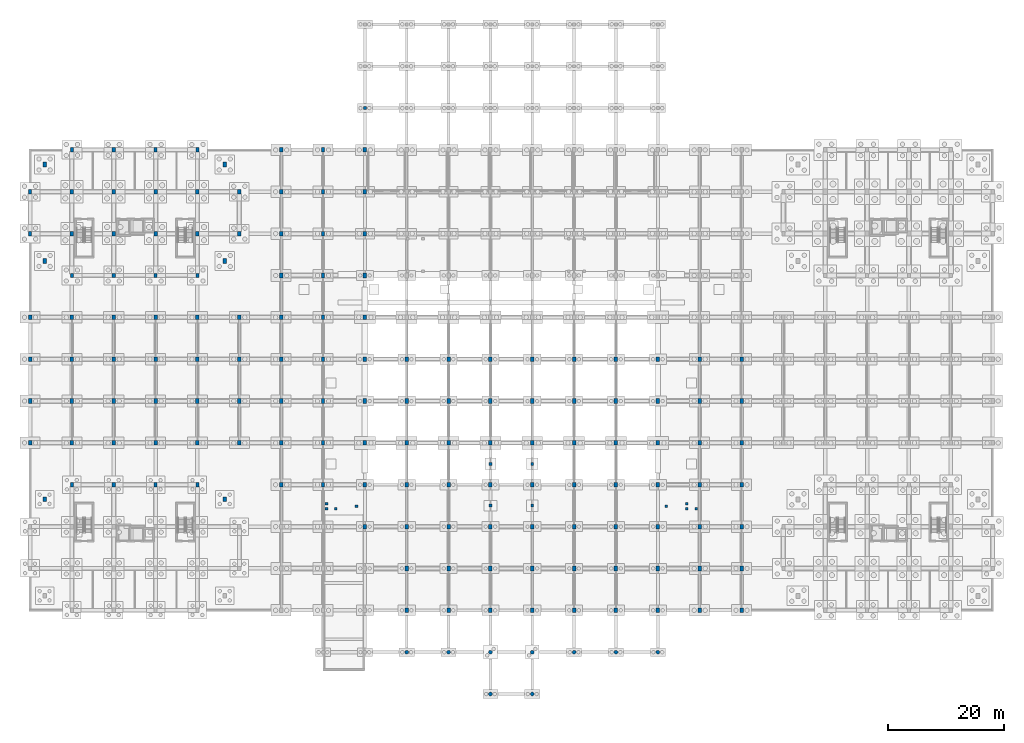
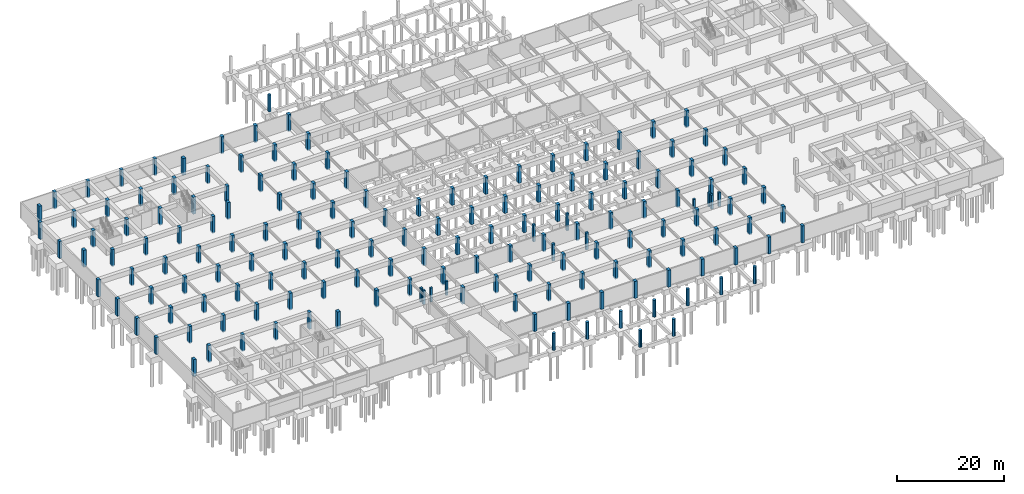
# One storey, part 16 of 36: 167 columns.
"""IFC4 building model written with IfcOpenShell, lengths in metres."""

from ifc_helpers import new_model, si_unit, direction, frame, origin, origin_2d, place, context, subcontext, project, spatial, rectangle, circle, extrude, material, material_profile, profile_set, type_object, element, save


model = new_model("IFC4")

# Units and contexts
model_context = context("Model", 3, precision=1e-05, world=origin(), true_north=direction((0.0, 1.0)))
body_context = subcontext(model_context, "Body", "Model", "MODEL_VIEW")
ifc_project = project(units=[si_unit("LENGTHUNIT", "METRE"), si_unit("AREAUNIT", "SQUARE_METRE"), si_unit("VOLUMEUNIT", "CUBIC_METRE"), si_unit("PLANEANGLEUNIT", "RADIAN"), si_unit("MASSUNIT", "GRAM", prefix="KILO")], contexts=[model_context])

# Site, building, storey
site_placement = place(None, origin())
site = spatial("IfcSite", under=ifc_project, at=site_placement, CompositionType="ELEMENT")
building_placement = place(site_placement, origin())
building = spatial("IfcBuilding", under=site, at=building_placement, Name="Ochrevale Crest", CompositionType="ELEMENT")
storey_placement = place(building_placement, frame((0.0, 0.0, -3.60009765625)))
storey = spatial("IfcBuildingStorey", under=building, at=storey_placement, Name="B1", CompositionType="ELEMENT", Elevation=-3.60009765625)

# Columns
ifc_material_1 = material(Name="Precast concrete C40/50", Category="concrete")
ifc_material_profile_1 = material_profile(ifc_material_1, rectangle(XDim=0.449951171875, YDim=0.449951171875, at=origin_2d()), Name="RC 450x450")
ifc_profile_set_1 = profile_set([ifc_material_profile_1], Name="Precast concrete C40/50")
column_type_1 = type_object("IfcColumnType", Name="COL-RC450x450", PredefinedType="COLUMN", material=ifc_profile_set_1)
for number, where, z_axis, x_axis, name in (
    (1, (51.0, 31.85009765625, 0.0), (0.0, 0.0, 1.0), (1.0, 0.0, 0.0), "West hillside Step 1 to Step 2 accessible ramp starter B1 support column 1"),
    (2, (52.60009765625, 31.85009765625, 0.0), (0.0, 0.0, 1.0), (1.0, 0.0, 0.0), "West hillside Step 1 to Step 2 accessible ramp starter B1 support column 2"),
    (3, (51.0, 32.75, 0.0), (0.0, 0.0, 1.0), (1.0, 0.0, 0.0), "West hillside Step 1 to Step 2 accessible ramp starter B1 support column 3"),
    (4, (56.16259765625, 32.300048828125, 0.0), (0.0, 0.0, 1.0), (1.0, 0.0, 0.0), "West hillside Step 1 to Step 2 accessible ramp starter B1 support column 4"),
    (5, (113.0, 31.85009765625, 0.0), (0.0, 0.0, 1.0), (1.0, 0.0, 0.0), "East hillside Step 1 to Step 2 accessible ramp starter B1 support column 1"),
    (6, (114.60009765625, 31.85009765625, 0.0), (0.0, 0.0, 1.0), (1.0, 0.0, 0.0), "East hillside Step 1 to Step 2 accessible ramp starter B1 support column 2"),
    (7, (113.0, 32.75, 0.0), (0.0, 0.0, 1.0), (1.0, 0.0, 0.0), "East hillside Step 1 to Step 2 accessible ramp starter B1 support column 3"),
    (8, (109.4375, 32.300048828125, 0.0), (0.0, 0.0, 1.0), (1.0, 0.0, 0.0), "East hillside Step 1 to Step 2 accessible ramp starter B1 support column 4"),
):
    element("IfcColumn", number, at=place(storey_placement, frame(where, z_axis=z_axis, x_axis=x_axis)), inside=storey, type_object=column_type_1, Name=name, PredefinedType="COLUMN", context=body_context, shape_type="SweptSolid", body=[
        extrude(rectangle(XDim=0.449951171875, YDim=0.449951171875, at=origin_2d()), origin(), (0.0, 0.0, 1.0), 3.18505859375),
    ])
ifc_material_2 = material(Name="Precast concrete C50/60", Category="concrete")
ifc_material_profile_2 = material_profile(ifc_material_2, rectangle(XDim=0.5, YDim=0.5, at=origin_2d()), Name="RC 500x500")
ifc_profile_set_2 = profile_set([ifc_material_profile_2], Name="Precast concrete C50/60")
column_type_2 = type_object("IfcColumnType", Name="COL-RC500x500", PredefinedType="COLUMN", material=ifc_profile_set_2)
for number, where, z_axis, x_axis, name in (
    (9, (79.199951171875, 32.39990234375, -0.260009765625), (0.0, 0.0, 1.0), (1.0, 0.0, 0.0), "Foundation support pier FTG-PF-PAS1"),
    (10, (86.39990234375, 32.39990234375, -0.260009765625), (0.0, 0.0, 1.0), (1.0, 0.0, 0.0), "Foundation support pier FTG-PF-PAS2"),
    (11, (79.199951171875, 39.60009765625, -0.260009765625), (0.0, 0.0, 1.0), (1.0, 0.0, 0.0), "Foundation support pier FTG-PF-PAS3"),
    (12, (86.39990234375, 39.60009765625, -0.260009765625), (0.0, 0.0, 1.0), (1.0, 0.0, 0.0), "Foundation support pier FTG-PF-PAS4"),
    (13, (57.60009765625, 100.800048828125, -0.260009765625), (0.0, 0.0, 1.0), (1.0, 0.0, 0.0), "Play court foundation column (57.6,100.8)"),
):
    element("IfcColumn", number, at=place(storey_placement, frame(where, z_axis=z_axis, x_axis=x_axis)), inside=storey, type_object=column_type_2, Name=name, PredefinedType="COLUMN", context=body_context, shape_type="SweptSolid", body=[
        extrude(rectangle(XDim=0.5, YDim=0.5, at=origin_2d()), origin(), (0.0, 0.0, 1.0), 3.860107421875),
    ])
ifc_material_profile_3 = material_profile(ifc_material_2, rectangle(XDim=0.550048828125, YDim=0.75, at=origin_2d()), Name="RC 550x750")
ifc_profile_set_3 = profile_set([ifc_material_profile_3], Name="Precast concrete C50/60")
column_type_3 = type_object("IfcColumnType", Name="COL-RC550x750", PredefinedType="COLUMN", material=ifc_profile_set_3)
for number, where, z_axis, x_axis, name in (
    (14, (7.199951171875, 36.0, -0.260009765625), (0.0, 0.0, 1.0), (1.0, 0.0, 0.0), "Block A B1 column (7.2,36.0)"),
    (15, (14.39990234375, 36.0, -0.260009765625), (0.0, 0.0, 1.0), (1.0, 0.0, 0.0), "Block A B1 column (14.4,36.0)"),
    (16, (21.60009765625, 36.0, -0.260009765625), (0.0, 0.0, 1.0), (1.0, 0.0, 0.0), "Block A B1 column (21.6,36.0)"),
    (17, (28.800048828125, 36.0, -0.260009765625), (0.0, 0.0, 1.0), (1.0, 0.0, 0.0), "Block A B1 column (28.8,36.0)"),
    (18, (0.0, 79.199951171875, -0.260009765625), (0.0, 0.0, 1.0), (1.0, 0.0, 0.0), "Block B B1 column (0.0,79.2)"),
    (19, (0.0, 86.39990234375, -0.260009765625), (0.0, 0.0, 1.0), (1.0, 0.0, 0.0), "Block B B1 column (0.0,86.4)"),
    (20, (7.199951171875, 72.0, -0.260009765625), (0.0, 0.0, 1.0), (1.0, 0.0, 0.0), "Block B B1 column (7.2,72.0)"),
    (21, (7.199951171875, 93.60009765625, -0.260009765625), (0.0, 0.0, 1.0), (1.0, 0.0, 0.0), "Block B B1 column (7.2,93.6)"),
    (22, (14.39990234375, 72.0, -0.260009765625), (0.0, 0.0, 1.0), (1.0, 0.0, 0.0), "Block B B1 column (14.4,72.0)"),
    (23, (14.39990234375, 93.60009765625, -0.260009765625), (0.0, 0.0, 1.0), (1.0, 0.0, 0.0), "Block B B1 column (14.4,93.6)"),
    (24, (21.60009765625, 72.0, -0.260009765625), (0.0, 0.0, 1.0), (1.0, 0.0, 0.0), "Block B B1 column (21.6,72.0)"),
    (25, (21.60009765625, 93.60009765625, -0.260009765625), (0.0, 0.0, 1.0), (1.0, 0.0, 0.0), "Block B B1 column (21.6,93.6)"),
    (26, (28.800048828125, 72.0, -0.260009765625), (0.0, 0.0, 1.0), (1.0, 0.0, 0.0), "Block B B1 column (28.8,72.0)"),
    (27, (28.800048828125, 93.60009765625, -0.260009765625), (0.0, 0.0, 1.0), (1.0, 0.0, 0.0), "Block B B1 column (28.8,93.6)"),
    (28, (36.0, 79.199951171875, -0.260009765625), (0.0, 0.0, 1.0), (1.0, 0.0, 0.0), "Block B B1 column (36.0,79.2)"),
    (29, (36.0, 86.39990234375, -0.260009765625), (0.0, 0.0, 1.0), (1.0, 0.0, 0.0), "Block B B1 column (36.0,86.4)"),
):
    element("IfcColumn", number, at=place(storey_placement, frame(where, z_axis=z_axis, x_axis=x_axis)), inside=storey, type_object=column_type_3, Name=name, PredefinedType="COLUMN", context=body_context, shape_type="SweptSolid", body=[
        extrude(rectangle(XDim=0.550048828125, YDim=0.75, at=origin_2d()), origin(), (0.0, 0.0, 1.0), 3.860107421875),
    ])
ifc_material_3 = material(Name="Concrete C50/60", Category="concrete")
ifc_material_profile_4 = material_profile(ifc_material_3, rectangle(XDim=0.60009765625, YDim=0.800048828125, at=origin_2d()), Name="RC 600x800")
ifc_profile_set_4 = profile_set([ifc_material_profile_4], Name="Concrete C50/60")
column_type_4 = type_object("IfcColumnType", Name="COL-RC600x800", PredefinedType="COLUMN", material=ifc_profile_set_4)
for number, where, z_axis, x_axis, name in (
    (30, (0.0, 43.199951171875, -0.260009765625), (0.0, 0.0, 1.0), (1.0, 0.0, 0.0), "B1 structural foundation column (0.0,43.2)"),
    (31, (0.0, 50.39990234375, -0.260009765625), (0.0, 0.0, 1.0), (1.0, 0.0, 0.0), "B1 structural foundation column (0.0,50.4)"),
    (32, (0.0, 57.60009765625, -0.260009765625), (0.0, 0.0, 1.0), (1.0, 0.0, 0.0), "B1 structural foundation column (0.0,57.6)"),
    (33, (0.0, 64.800048828125, -0.260009765625), (0.0, 0.0, 1.0), (1.0, 0.0, 0.0), "B1 structural foundation column (0.0,64.8)"),
    (34, (7.199951171875, 43.199951171875, -0.260009765625), (0.0, 0.0, 1.0), (1.0, 0.0, 0.0), "B1 structural foundation column (7.2,43.2)"),
    (35, (7.199951171875, 50.39990234375, -0.260009765625), (0.0, 0.0, 1.0), (1.0, 0.0, 0.0), "B1 structural foundation column (7.2,50.4)"),
    (36, (7.199951171875, 57.60009765625, -0.260009765625), (0.0, 0.0, 1.0), (1.0, 0.0, 0.0), "B1 structural foundation column (7.2,57.6)"),
    (37, (7.199951171875, 64.800048828125, -0.260009765625), (0.0, 0.0, 1.0), (1.0, 0.0, 0.0), "B1 structural foundation column (7.2,64.8)"),
    (38, (14.39990234375, 43.199951171875, -0.260009765625), (0.0, 0.0, 1.0), (1.0, 0.0, 0.0), "B1 structural foundation column (14.4,43.2)"),
    (39, (14.39990234375, 50.39990234375, -0.260009765625), (0.0, 0.0, 1.0), (1.0, 0.0, 0.0), "B1 structural foundation column (14.4,50.4)"),
    (40, (14.39990234375, 57.60009765625, -0.260009765625), (0.0, 0.0, 1.0), (1.0, 0.0, 0.0), "B1 structural foundation column (14.4,57.6)"),
    (41, (14.39990234375, 64.800048828125, -0.260009765625), (0.0, 0.0, 1.0), (1.0, 0.0, 0.0), "B1 structural foundation column (14.4,64.8)"),
    (42, (21.60009765625, 43.199951171875, -0.260009765625), (0.0, 0.0, 1.0), (1.0, 0.0, 0.0), "B1 structural foundation column (21.6,43.2)"),
    (43, (21.60009765625, 50.39990234375, -0.260009765625), (0.0, 0.0, 1.0), (1.0, 0.0, 0.0), "B1 structural foundation column (21.6,50.4)"),
    (44, (21.60009765625, 57.60009765625, -0.260009765625), (0.0, 0.0, 1.0), (1.0, 0.0, 0.0), "B1 structural foundation column (21.6,57.6)"),
    (45, (21.60009765625, 64.800048828125, -0.260009765625), (0.0, 0.0, 1.0), (1.0, 0.0, 0.0), "B1 structural foundation column (21.6,64.8)"),
    (46, (28.800048828125, 43.199951171875, -0.260009765625), (0.0, 0.0, 1.0), (1.0, 0.0, 0.0), "B1 structural foundation column (28.8,43.2)"),
    (47, (28.800048828125, 50.39990234375, -0.260009765625), (0.0, 0.0, 1.0), (1.0, 0.0, 0.0), "B1 structural foundation column (28.8,50.4)"),
    (48, (28.800048828125, 57.60009765625, -0.260009765625), (0.0, 0.0, 1.0), (1.0, 0.0, 0.0), "B1 structural foundation column (28.8,57.6)"),
    (49, (28.800048828125, 64.800048828125, -0.260009765625), (0.0, 0.0, 1.0), (1.0, 0.0, 0.0), "B1 structural foundation column (28.8,64.8)"),
    (50, (36.0, 43.199951171875, -0.260009765625), (0.0, 0.0, 1.0), (1.0, 0.0, 0.0), "B1 structural foundation column (36.0,43.2)"),
    (51, (36.0, 50.39990234375, -0.260009765625), (0.0, 0.0, 1.0), (1.0, 0.0, 0.0), "B1 structural foundation column (36.0,50.4)"),
    (52, (36.0, 57.60009765625, -0.260009765625), (0.0, 0.0, 1.0), (1.0, 0.0, 0.0), "B1 structural foundation column (36.0,57.6)"),
    (53, (36.0, 64.800048828125, -0.260009765625), (0.0, 0.0, 1.0), (1.0, 0.0, 0.0), "B1 structural foundation column (36.0,64.8)"),
    (54, (43.199951171875, 36.0, -0.260009765625), (0.0, 0.0, 1.0), (1.0, 0.0, 0.0), "B1 structural foundation column (43.2,36.0)"),
    (55, (43.199951171875, 43.199951171875, -0.260009765625), (0.0, 0.0, 1.0), (1.0, 0.0, 0.0), "B1 structural foundation column (43.2,43.2)"),
    (56, (43.199951171875, 50.39990234375, -0.260009765625), (0.0, 0.0, 1.0), (1.0, 0.0, 0.0), "B1 structural foundation column (43.2,50.4)"),
    (57, (43.199951171875, 57.60009765625, -0.260009765625), (0.0, 0.0, 1.0), (1.0, 0.0, 0.0), "B1 structural foundation column (43.2,57.6)"),
    (58, (43.199951171875, 64.800048828125, -0.260009765625), (0.0, 0.0, 1.0), (1.0, 0.0, 0.0), "B1 structural foundation column (43.2,64.8)"),
    (59, (43.199951171875, 72.0, -0.260009765625), (0.0, 0.0, 1.0), (1.0, 0.0, 0.0), "B1 structural foundation column (43.2,72.0)"),
    (60, (43.199951171875, 79.199951171875, -0.260009765625), (0.0, 0.0, 1.0), (1.0, 0.0, 0.0), "B1 structural foundation column (43.2,79.2)"),
    (61, (43.199951171875, 86.39990234375, -0.260009765625), (0.0, 0.0, 1.0), (1.0, 0.0, 0.0), "B1 structural foundation column (43.2,86.4)"),
    (62, (43.199951171875, 93.60009765625, -0.260009765625), (0.0, 0.0, 1.0), (1.0, 0.0, 0.0), "B1 structural foundation column (43.2,93.6)"),
    (63, (50.39990234375, 36.0, -0.260009765625), (0.0, 0.0, 1.0), (1.0, 0.0, 0.0), "B1 structural foundation column (50.4,36.0)"),
    (64, (50.39990234375, 43.199951171875, -0.260009765625), (0.0, 0.0, 1.0), (1.0, 0.0, 0.0), "B1 structural foundation column (50.4,43.2)"),
    (65, (50.39990234375, 50.39990234375, -0.260009765625), (0.0, 0.0, 1.0), (1.0, 0.0, 0.0), "B1 structural foundation column (50.4,50.4)"),
    (66, (50.39990234375, 57.60009765625, -0.260009765625), (0.0, 0.0, 1.0), (1.0, 0.0, 0.0), "B1 structural foundation column (50.4,57.6)"),
    (67, (50.39990234375, 64.800048828125, -0.260009765625), (0.0, 0.0, 1.0), (1.0, 0.0, 0.0), "B1 structural foundation column (50.4,64.8)"),
    (68, (50.39990234375, 72.0, -0.260009765625), (0.0, 0.0, 1.0), (1.0, 0.0, 0.0), "B1 structural foundation column (50.4,72.0)"),
    (69, (50.39990234375, 79.199951171875, -0.260009765625), (0.0, 0.0, 1.0), (1.0, 0.0, 0.0), "B1 structural foundation column (50.4,79.2)"),
    (70, (50.39990234375, 86.39990234375, -0.260009765625), (0.0, 0.0, 1.0), (1.0, 0.0, 0.0), "B1 structural foundation column (50.4,86.4)"),
    (71, (50.39990234375, 93.60009765625, -0.260009765625), (0.0, 0.0, 1.0), (1.0, 0.0, 0.0), "B1 structural foundation column (50.4,93.6)"),
    (72, (57.60009765625, 28.800048828125, -0.260009765625), (0.0, 0.0, 1.0), (1.0, 0.0, 0.0), "B1 structural foundation column (57.6,28.8)"),
    (73, (57.60009765625, 36.0, -0.260009765625), (0.0, 0.0, 1.0), (1.0, 0.0, 0.0), "B1 structural foundation column (57.6,36.0)"),
    (74, (57.60009765625, 43.199951171875, -0.260009765625), (0.0, 0.0, 1.0), (1.0, 0.0, 0.0), "B1 structural foundation column (57.6,43.2)"),
    (75, (57.60009765625, 50.39990234375, -0.260009765625), (0.0, 0.0, 1.0), (1.0, 0.0, 0.0), "B1 structural foundation column (57.6,50.4)"),
    (76, (57.60009765625, 57.60009765625, -0.260009765625), (0.0, 0.0, 1.0), (1.0, 0.0, 0.0), "B1 structural foundation column (57.6,57.6)"),
    (77, (57.60009765625, 64.800048828125, -0.260009765625), (0.0, 0.0, 1.0), (1.0, 0.0, 0.0), "B1 structural foundation column (57.6,64.8)"),
    (78, (57.60009765625, 72.0, -0.260009765625), (0.0, 0.0, 1.0), (1.0, 0.0, 0.0), "B1 structural foundation column (57.6,72.0)"),
    (79, (57.60009765625, 79.199951171875, -0.260009765625), (0.0, 0.0, 1.0), (1.0, 0.0, 0.0), "B1 structural foundation column (57.6,79.2)"),
    (80, (57.60009765625, 86.39990234375, -0.260009765625), (0.0, 0.0, 1.0), (1.0, 0.0, 0.0), "B1 structural foundation column (57.6,86.4)"),
    (81, (57.60009765625, 93.60009765625, -0.260009765625), (0.0, 0.0, 1.0), (1.0, 0.0, 0.0), "B1 structural foundation column (57.6,93.6)"),
    (82, (64.800048828125, 14.39990234375, -0.260009765625), (0.0, 0.0, 1.0), (1.0, 0.0, 0.0), "B1 structural foundation column (64.8,14.4)"),
    (83, (64.800048828125, 21.60009765625, -0.260009765625), (0.0, 0.0, 1.0), (1.0, 0.0, 0.0), "B1 structural foundation column (64.8,21.6)"),
    (84, (64.800048828125, 28.800048828125, -0.260009765625), (0.0, 0.0, 1.0), (1.0, 0.0, 0.0), "B1 structural foundation column (64.8,28.8)"),
    (85, (64.800048828125, 36.0, -0.260009765625), (0.0, 0.0, 1.0), (1.0, 0.0, 0.0), "B1 structural foundation column (64.8,36.0)"),
    (86, (64.800048828125, 43.199951171875, -0.260009765625), (0.0, 0.0, 1.0), (1.0, 0.0, 0.0), "B1 structural foundation column (64.8,43.2)"),
    (87, (64.800048828125, 50.39990234375, -0.260009765625), (0.0, 0.0, 1.0), (1.0, 0.0, 0.0), "B1 structural foundation column (64.8,50.4)"),
    (88, (64.800048828125, 57.60009765625, -0.260009765625), (0.0, 0.0, 1.0), (1.0, 0.0, 0.0), "B1 structural foundation column (64.8,57.6)"),
    (89, (72.0, 14.39990234375, -0.260009765625), (0.0, 0.0, 1.0), (1.0, 0.0, 0.0), "B1 structural foundation column (72.0,14.4)"),
    (90, (72.0, 21.60009765625, -0.260009765625), (0.0, 0.0, 1.0), (1.0, 0.0, 0.0), "B1 structural foundation column (72.0,21.6)"),
    (91, (72.0, 28.800048828125, -0.260009765625), (0.0, 0.0, 1.0), (1.0, 0.0, 0.0), "B1 structural foundation column (72.0,28.8)"),
    (92, (72.0, 36.0, -0.260009765625), (0.0, 0.0, 1.0), (1.0, 0.0, 0.0), "B1 structural foundation column (72.0,36.0)"),
    (93, (72.0, 43.199951171875, -0.260009765625), (0.0, 0.0, 1.0), (1.0, 0.0, 0.0), "B1 structural foundation column (72.0,43.2)"),
    (94, (72.0, 50.39990234375, -0.260009765625), (0.0, 0.0, 1.0), (1.0, 0.0, 0.0), "B1 structural foundation column (72.0,50.4)"),
    (95, (72.0, 57.60009765625, -0.260009765625), (0.0, 0.0, 1.0), (1.0, 0.0, 0.0), "B1 structural foundation column (72.0,57.6)"),
    (96, (79.199951171875, 14.39990234375, -0.260009765625), (0.0, 0.0, 1.0), (1.0, 0.0, 0.0), "B1 structural foundation column (79.2,14.4)"),
    (97, (79.199951171875, 21.60009765625, -0.260009765625), (0.0, 0.0, 1.0), (1.0, 0.0, 0.0), "B1 structural foundation column (79.2,21.6)"),
    (98, (79.199951171875, 28.800048828125, -0.260009765625), (0.0, 0.0, 1.0), (1.0, 0.0, 0.0), "B1 structural foundation column (79.2,28.8)"),
    (99, (79.199951171875, 36.0, -0.260009765625), (0.0, 0.0, 1.0), (1.0, 0.0, 0.0), "B1 structural foundation column (79.2,36.0)"),
    (100, (79.199951171875, 43.199951171875, -0.260009765625), (0.0, 0.0, 1.0), (1.0, 0.0, 0.0), "B1 structural foundation column (79.2,43.2)"),
    (101, (79.199951171875, 50.39990234375, -0.260009765625), (0.0, 0.0, 1.0), (1.0, 0.0, 0.0), "B1 structural foundation column (79.2,50.4)"),
    (102, (79.199951171875, 57.60009765625, -0.260009765625), (0.0, 0.0, 1.0), (1.0, 0.0, 0.0), "B1 structural foundation column (79.2,57.6)"),
    (103, (86.39990234375, 14.39990234375, -0.260009765625), (0.0, 0.0, 1.0), (1.0, 0.0, 0.0), "B1 structural foundation column (86.4,14.4)"),
    (104, (86.39990234375, 21.60009765625, -0.260009765625), (0.0, 0.0, 1.0), (1.0, 0.0, 0.0), "B1 structural foundation column (86.4,21.6)"),
    (105, (86.39990234375, 28.800048828125, -0.260009765625), (0.0, 0.0, 1.0), (1.0, 0.0, 0.0), "B1 structural foundation column (86.4,28.8)"),
    (106, (86.39990234375, 36.0, -0.260009765625), (0.0, 0.0, 1.0), (1.0, 0.0, 0.0), "B1 structural foundation column (86.4,36.0)"),
    (107, (86.39990234375, 43.199951171875, -0.260009765625), (0.0, 0.0, 1.0), (1.0, 0.0, 0.0), "B1 structural foundation column (86.4,43.2)"),
    (108, (86.39990234375, 50.39990234375, -0.260009765625), (0.0, 0.0, 1.0), (1.0, 0.0, 0.0), "B1 structural foundation column (86.4,50.4)"),
    (109, (86.39990234375, 57.60009765625, -0.260009765625), (0.0, 0.0, 1.0), (1.0, 0.0, 0.0), "B1 structural foundation column (86.4,57.6)"),
    (110, (93.60009765625, 14.39990234375, -0.260009765625), (0.0, 0.0, 1.0), (1.0, 0.0, 0.0), "B1 structural foundation column (93.6,14.4)"),
    (111, (93.60009765625, 21.60009765625, -0.260009765625), (0.0, 0.0, 1.0), (1.0, 0.0, 0.0), "B1 structural foundation column (93.6,21.6)"),
    (112, (93.60009765625, 28.800048828125, -0.260009765625), (0.0, 0.0, 1.0), (1.0, 0.0, 0.0), "B1 structural foundation column (93.6,28.8)"),
    (113, (93.60009765625, 36.0, -0.260009765625), (0.0, 0.0, 1.0), (1.0, 0.0, 0.0), "B1 structural foundation column (93.6,36.0)"),
    (114, (93.60009765625, 43.199951171875, -0.260009765625), (0.0, 0.0, 1.0), (1.0, 0.0, 0.0), "B1 structural foundation column (93.6,43.2)"),
    (115, (93.60009765625, 50.39990234375, -0.260009765625), (0.0, 0.0, 1.0), (1.0, 0.0, 0.0), "B1 structural foundation column (93.6,50.4)"),
    (116, (93.60009765625, 57.60009765625, -0.260009765625), (0.0, 0.0, 1.0), (1.0, 0.0, 0.0), "B1 structural foundation column (93.6,57.6)"),
    (117, (100.800048828125, 14.39990234375, -0.260009765625), (0.0, 0.0, 1.0), (1.0, 0.0, 0.0), "B1 structural foundation column (100.8,14.4)"),
    (118, (100.800048828125, 21.60009765625, -0.260009765625), (0.0, 0.0, 1.0), (1.0, 0.0, 0.0), "B1 structural foundation column (100.8,21.6)"),
    (119, (100.800048828125, 28.800048828125, -0.260009765625), (0.0, 0.0, 1.0), (1.0, 0.0, 0.0), "B1 structural foundation column (100.8,28.8)"),
    (120, (100.800048828125, 36.0, -0.260009765625), (0.0, 0.0, 1.0), (1.0, 0.0, 0.0), "B1 structural foundation column (100.8,36.0)"),
    (121, (100.800048828125, 43.199951171875, -0.260009765625), (0.0, 0.0, 1.0), (1.0, 0.0, 0.0), "B1 structural foundation column (100.8,43.2)"),
    (122, (100.800048828125, 50.39990234375, -0.260009765625), (0.0, 0.0, 1.0), (1.0, 0.0, 0.0), "B1 structural foundation column (100.8,50.4)"),
    (123, (100.800048828125, 57.60009765625, -0.260009765625), (0.0, 0.0, 1.0), (1.0, 0.0, 0.0), "B1 structural foundation column (100.8,57.6)"),
    (124, (108.0, 14.39990234375, -0.260009765625), (0.0, 0.0, 1.0), (1.0, 0.0, 0.0), "B1 structural foundation column (108.0,14.4)"),
    (125, (108.0, 21.60009765625, -0.260009765625), (0.0, 0.0, 1.0), (1.0, 0.0, 0.0), "B1 structural foundation column (108.0,21.6)"),
    (126, (108.0, 28.800048828125, -0.260009765625), (0.0, 0.0, 1.0), (1.0, 0.0, 0.0), "B1 structural foundation column (108.0,28.8)"),
    (127, (108.0, 36.0, -0.260009765625), (0.0, 0.0, 1.0), (1.0, 0.0, 0.0), "B1 structural foundation column (108.0,36.0)"),
    (128, (108.0, 43.199951171875, -0.260009765625), (0.0, 0.0, 1.0), (1.0, 0.0, 0.0), "B1 structural foundation column (108.0,43.2)"),
    (129, (108.0, 50.39990234375, -0.260009765625), (0.0, 0.0, 1.0), (1.0, 0.0, 0.0), "B1 structural foundation column (108.0,50.4)"),
    (130, (108.0, 57.60009765625, -0.260009765625), (0.0, 0.0, 1.0), (1.0, 0.0, 0.0), "B1 structural foundation column (108.0,57.6)"),
    (131, (115.199951171875, 14.39990234375, -0.260009765625), (0.0, 0.0, 1.0), (1.0, 0.0, 0.0), "B1 structural foundation column (115.2,14.4)"),
    (132, (115.199951171875, 21.60009765625, -0.260009765625), (0.0, 0.0, 1.0), (1.0, 0.0, 0.0), "B1 structural foundation column (115.2,21.6)"),
    (133, (115.199951171875, 28.800048828125, -0.260009765625), (0.0, 0.0, 1.0), (1.0, 0.0, 0.0), "B1 structural foundation column (115.2,28.8)"),
    (134, (115.199951171875, 36.0, -0.260009765625), (0.0, 0.0, 1.0), (1.0, 0.0, 0.0), "B1 structural foundation column (115.2,36.0)"),
    (135, (115.199951171875, 43.199951171875, -0.260009765625), (0.0, 0.0, 1.0), (1.0, 0.0, 0.0), "B1 structural foundation column (115.2,43.2)"),
    (136, (115.199951171875, 50.39990234375, -0.260009765625), (0.0, 0.0, 1.0), (1.0, 0.0, 0.0), "B1 structural foundation column (115.2,50.4)"),
    (137, (115.199951171875, 57.60009765625, -0.260009765625), (0.0, 0.0, 1.0), (1.0, 0.0, 0.0), "B1 structural foundation column (115.2,57.6)"),
    (138, (122.39990234375, 14.39990234375, -0.260009765625), (0.0, 0.0, 1.0), (1.0, 0.0, 0.0), "B1 structural foundation column (122.4,14.4)"),
    (139, (122.39990234375, 21.60009765625, -0.260009765625), (0.0, 0.0, 1.0), (1.0, 0.0, 0.0), "B1 structural foundation column (122.4,21.6)"),
    (140, (122.39990234375, 28.800048828125, -0.260009765625), (0.0, 0.0, 1.0), (1.0, 0.0, 0.0), "B1 structural foundation column (122.4,28.8)"),
    (141, (122.39990234375, 36.0, -0.260009765625), (0.0, 0.0, 1.0), (1.0, 0.0, 0.0), "B1 structural foundation column (122.4,36.0)"),
    (142, (122.39990234375, 43.199951171875, -0.260009765625), (0.0, 0.0, 1.0), (1.0, 0.0, 0.0), "B1 structural foundation column (122.4,43.2)"),
    (143, (122.39990234375, 50.39990234375, -0.260009765625), (0.0, 0.0, 1.0), (1.0, 0.0, 0.0), "B1 structural foundation column (122.4,50.4)"),
    (144, (122.39990234375, 57.60009765625, -0.260009765625), (0.0, 0.0, 1.0), (1.0, 0.0, 0.0), "B1 structural foundation column (122.4,57.6)"),
    (145, (2.5, 33.5, -0.260009765625), (0.0, 0.0, 1.0), (1.0, 0.0, 0.0), "Block A B1 column (2.5,33.5)"),
    (146, (33.5, 33.5, -0.260009765625), (0.0, 0.0, 1.0), (1.0, 0.0, 0.0), "Block A B1 column (33.5,33.5)"),
    (147, (2.5, 74.5, -0.260009765625), (0.0, 0.0, 1.0), (1.0, 0.0, 0.0), "Block B B1 column (2.5,74.5)"),
    (148, (2.5, 91.10009765625, -0.260009765625), (0.0, 0.0, 1.0), (1.0, 0.0, 0.0), "Block B B1 column (2.5,91.1)"),
    (149, (7.199951171875, 79.199951171875, -0.260009765625), (0.0, 0.0, 1.0), (1.0, 0.0, 0.0), "Block B B1 column (7.2,79.2)"),
    (150, (7.199951171875, 86.39990234375, -0.260009765625), (0.0, 0.0, 1.0), (1.0, 0.0, 0.0), "Block B B1 column (7.2,86.4)"),
    (151, (14.39990234375, 79.199951171875, -0.260009765625), (0.0, 0.0, 1.0), (1.0, 0.0, 0.0), "Block B B1 column (14.4,79.2)"),
    (152, (14.39990234375, 86.39990234375, -0.260009765625), (0.0, 0.0, 1.0), (1.0, 0.0, 0.0), "Block B B1 column (14.4,86.4)"),
    (153, (21.60009765625, 79.199951171875, -0.260009765625), (0.0, 0.0, 1.0), (1.0, 0.0, 0.0), "Block B B1 column (21.6,79.2)"),
    (154, (21.60009765625, 86.39990234375, -0.260009765625), (0.0, 0.0, 1.0), (1.0, 0.0, 0.0), "Block B B1 column (21.6,86.4)"),
    (155, (28.800048828125, 79.199951171875, -0.260009765625), (0.0, 0.0, 1.0), (1.0, 0.0, 0.0), "Block B B1 column (28.8,79.2)"),
    (156, (28.800048828125, 86.39990234375, -0.260009765625), (0.0, 0.0, 1.0), (1.0, 0.0, 0.0), "Block B B1 column (28.8,86.4)"),
    (157, (33.5, 74.5, -0.260009765625), (0.0, 0.0, 1.0), (1.0, 0.0, 0.0), "Block B B1 column (33.5,74.5)"),
    (158, (33.5, 91.10009765625, -0.260009765625), (0.0, 0.0, 1.0), (1.0, 0.0, 0.0), "Block B B1 column (33.5,91.1)"),
):
    element("IfcColumn", number, at=place(storey_placement, frame(where, z_axis=z_axis, x_axis=x_axis)), inside=storey, type_object=column_type_4, Name=name, PredefinedType="COLUMN", context=body_context, shape_type="SweptSolid", body=[
        extrude(rectangle(XDim=0.60009765625, YDim=0.800048828125, at=origin_2d()), origin(), (0.0, 0.0, 1.0), 3.860107421875),
    ])
ifc_material_profile_5 = material_profile(ifc_material_2, circle(Radius=0.324951171875, at=origin_2d()), Name="RC D650")
ifc_profile_set_5 = profile_set([ifc_material_profile_5], Name="Precast concrete C50/60")
column_type_5 = type_object("IfcColumnType", Name="COL-RCD650", PredefinedType="COLUMN", material=ifc_profile_set_5)
for number, where, z_axis, x_axis, name in (
    (159, (64.800048828125, 7.199951171875, -0.260009765625), (0.0, 0.0, 1.0), (1.0, 0.0, 0.0), "B1 arcade foundation pier (64.8,7.2)"),
    (160, (72.0, 7.199951171875, -0.260009765625), (0.0, 0.0, 1.0), (1.0, 0.0, 0.0), "B1 arcade foundation pier (72.0,7.2)"),
    (161, (79.199951171875, 0.0, -0.260009765625), (0.0, 0.0, 1.0), (1.0, 0.0, 0.0), "B1 arcade foundation pier (79.2,0.0)"),
    (162, (79.199951171875, 7.199951171875, -0.260009765625), (0.0, 0.0, 1.0), (1.0, 0.0, 0.0), "B1 arcade foundation pier (79.2,7.2)"),
    (163, (86.39990234375, 0.0, -0.260009765625), (0.0, 0.0, 1.0), (1.0, 0.0, 0.0), "B1 arcade foundation pier (86.4,0.0)"),
    (164, (86.39990234375, 7.199951171875, -0.260009765625), (0.0, 0.0, 1.0), (1.0, 0.0, 0.0), "B1 arcade foundation pier (86.4,7.2)"),
    (165, (93.60009765625, 7.199951171875, -0.260009765625), (0.0, 0.0, 1.0), (1.0, 0.0, 0.0), "B1 arcade foundation pier (93.6,7.2)"),
    (166, (100.800048828125, 7.199951171875, -0.260009765625), (0.0, 0.0, 1.0), (1.0, 0.0, 0.0), "B1 arcade foundation pier (100.8,7.2)"),
    (167, (108.0, 7.199951171875, -0.260009765625), (0.0, 0.0, 1.0), (1.0, 0.0, 0.0), "B1 arcade foundation pier (108.0,7.2)"),
):
    element("IfcColumn", number, at=place(storey_placement, frame(where, z_axis=z_axis, x_axis=x_axis)), inside=storey, type_object=column_type_5, Name=name, PredefinedType="COLUMN", context=body_context, shape_type="SweptSolid", body=[
        extrude(circle(Radius=0.324951171875, at=origin_2d()), origin(), (0.0, 0.0, 1.0), 3.860107421875),
    ])

save(model, "model.ifc")
